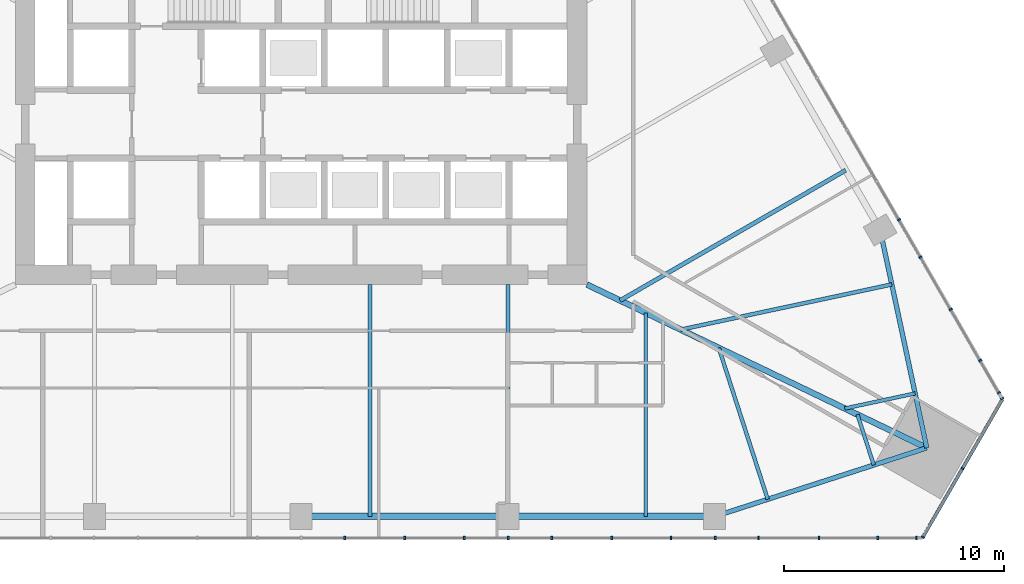
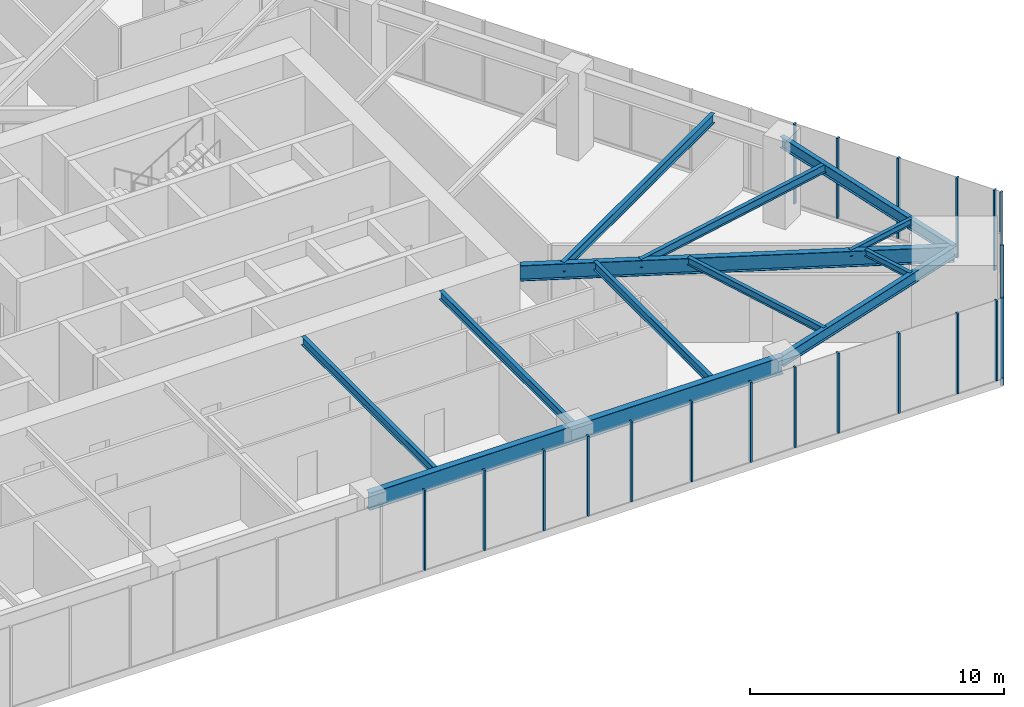
# One storey, part 6 of 21: 21 members, 12 beams, 3 elements without a shape of their own.
"""IFC4 building model written with IfcOpenShell, lengths in metres."""

from ifc_helpers import new_model, si_unit, direction, frame, origin, origin_2d, place, context, subcontext, project, spatial, rectangle, i_section, extrude, material, layer, layer_set, material_profile, profile_set, type_object, element, aggregate, save


model = new_model("IFC4")

# Units and contexts
model_context = context("Model", 3, precision=1e-05, world=origin(), true_north=direction((0.0, 1.0)))
body_context = subcontext(model_context, "Body", "Model", "MODEL_VIEW")
ifc_project = project(units=[si_unit("LENGTHUNIT", "METRE"), si_unit("AREAUNIT", "SQUARE_METRE"), si_unit("VOLUMEUNIT", "CUBIC_METRE"), si_unit("PLANEANGLEUNIT", "RADIAN"), si_unit("MASSUNIT", "GRAM", prefix="KILO")], contexts=[model_context])

# Site, building, storey
site_placement = place(None, origin())
site = spatial("IfcSite", under=ifc_project, at=site_placement, CompositionType="ELEMENT")
building_placement = place(site_placement, origin())
building = spatial("IfcBuilding", under=site, at=building_placement, Name="Firuza Gate Tower and Library", CompositionType="ELEMENT")
storey_placement = place(building_placement, frame((0.0, 0.0, 94.60009765625)))
storey = spatial("IfcBuildingStorey", under=building, at=storey_placement, Name="L21", CompositionType="ELEMENT", Elevation=94.60009765625)

# Curtain wall, members
ifc_material_1 = material(Name="Aluminium 6063-T6", Category="aluminium")
ifc_layer_1 = layer(ifc_material_1, 0.14990234375)
ifc_layer_set_1 = layer_set([ifc_layer_1], Name="Unitised curtain wall, offices")
curtain_wall_type_1 = type_object("IfcCurtainWallType", Name="Unitised curtain wall, offices", PredefinedType="NOTDEFINED", material=ifc_layer_set_1)
placement = place(storey_placement, origin())
curtain_wall_1 = element("IfcCurtainWall", 1, at=placement, inside=storey, type_object=curtain_wall_type_1, Name="CW1 L21 S face", PredefinedType="NOTDEFINED")
ifc_material_2 = material(Name="Aluminium 6063-T6", Category="aluminium")
ifc_material_profile_1 = material_profile(ifc_material_2, rectangle(XDim=0.14990234375, YDim=0.080078125, at=origin_2d()))
ifc_profile_set_1 = profile_set([ifc_material_profile_1], Name="Aluminium 6063-T6")
member_type_1 = type_object("IfcMemberType", Name="Curtain wall mullion 80x150", PredefinedType="MULLION", material=ifc_profile_set_1)
member_1_placement = place(storey_placement, frame((79.708984375, 54.48095703125, 0.14990234375), z_axis=(0.0, 0.0, 1.0), x_axis=(0.0, 1.0, 0.0)))
member_1 = element("IfcMember", 2, at=member_1_placement, type_object=member_type_1, Name="Mullion", PredefinedType="MULLION", context=body_context, shape_type="SweptSolid", body=[
    extrude(rectangle(XDim=0.14990234375, YDim=0.080078125, at=origin_2d()), origin(), (0.0, 0.0, 1.0), 3.85009765625),
])
member_2_placement = place(storey_placement, frame((84.417724609375, 54.48095703125, 0.14990234375), z_axis=(0.0, 0.0, 1.0), x_axis=(0.0, 1.0, 0.0)))
member_2 = element("IfcMember", 3, at=member_2_placement, type_object=member_type_1, Name="Mullion", PredefinedType="MULLION", context=body_context, shape_type="SweptSolid", body=[
    extrude(rectangle(XDim=0.14990234375, YDim=0.080078125, at=origin_2d()), origin(), (0.0, 0.0, 1.0), 3.85009765625),
])
member_3_placement = place(storey_placement, frame((89.126708984375, 54.48095703125, 0.14990234375), z_axis=(0.0, 0.0, 1.0), x_axis=(0.0, 1.0, 0.0)))
member_3 = element("IfcMember", 4, at=member_3_placement, type_object=member_type_1, Name="Mullion", PredefinedType="MULLION", context=body_context, shape_type="SweptSolid", body=[
    extrude(rectangle(XDim=0.14990234375, YDim=0.080078125, at=origin_2d()), origin(), (0.0, 0.0, 1.0), 3.85009765625),
])
member_4_placement = place(storey_placement, frame((93.835693359375, 54.48095703125, 0.14990234375), z_axis=(0.0, 0.0, 1.0), x_axis=(0.0, 1.0, 0.0)))
member_4 = element("IfcMember", 5, at=member_4_placement, type_object=member_type_1, Name="Mullion", PredefinedType="MULLION", context=body_context, shape_type="SweptSolid", body=[
    extrude(rectangle(XDim=0.14990234375, YDim=0.080078125, at=origin_2d()), origin(), (0.0, 0.0, 1.0), 3.85009765625),
])
member_5_placement = place(storey_placement, frame((98.54443359375, 54.48095703125, 0.14990234375), z_axis=(0.0, 0.0, 1.0), x_axis=(0.0, 1.0, 0.0)))
member_5 = element("IfcMember", 6, at=member_5_placement, type_object=member_type_1, Name="Mullion", PredefinedType="MULLION", context=body_context, shape_type="SweptSolid", body=[
    extrude(rectangle(XDim=0.14990234375, YDim=0.080078125, at=origin_2d()), origin(), (0.0, 0.0, 1.0), 3.85009765625),
])
member_6_placement = place(storey_placement, frame((76.98876953125, 54.48095703125, 0.14990234375), z_axis=(0.0, 0.0, 1.0), x_axis=(0.0, 1.0, 0.0)))
member_6 = element("IfcMember", 7, at=member_6_placement, type_object=member_type_1, Name="Mullion", PredefinedType="MULLION", context=body_context, shape_type="SweptSolid", body=[
    extrude(rectangle(XDim=0.14990234375, YDim=0.080078125, at=origin_2d()), origin(), (0.0, 0.0, 1.0), 3.85009765625),
])
member_7_placement = place(storey_placement, frame((82.41455078125, 54.48095703125, 0.14990234375), z_axis=(0.0, 0.0, 1.0), x_axis=(0.0, 1.0, 0.0)))
member_7 = element("IfcMember", 8, at=member_7_placement, type_object=member_type_1, Name="Mullion", PredefinedType="MULLION", context=body_context, shape_type="SweptSolid", body=[
    extrude(rectangle(XDim=0.14990234375, YDim=0.080078125, at=origin_2d()), origin(), (0.0, 0.0, 1.0), 3.85009765625),
])
member_8_placement = place(storey_placement, frame((86.39208984375, 54.48095703125, 0.14990234375), z_axis=(0.0, 0.0, 1.0), x_axis=(0.0, 1.0, 0.0)))
member_8 = element("IfcMember", 9, at=member_8_placement, type_object=member_type_1, Name="Mullion", PredefinedType="MULLION", context=body_context, shape_type="SweptSolid", body=[
    extrude(rectangle(XDim=0.14990234375, YDim=0.080078125, at=origin_2d()), origin(), (0.0, 0.0, 1.0), 3.85009765625),
])
member_9_placement = place(storey_placement, frame((91.818115234375, 54.48095703125, 0.14990234375), z_axis=(0.0, 0.0, 1.0), x_axis=(0.0, 1.0, 0.0)))
member_9 = element("IfcMember", 10, at=member_9_placement, type_object=member_type_1, Name="Mullion", PredefinedType="MULLION", context=body_context, shape_type="SweptSolid", body=[
    extrude(rectangle(XDim=0.14990234375, YDim=0.080078125, at=origin_2d()), origin(), (0.0, 0.0, 1.0), 3.85009765625),
])
member_10_placement = place(storey_placement, frame((95.79541015625, 54.48095703125, 0.14990234375), z_axis=(0.0, 0.0, 1.0), x_axis=(0.0, 1.0, 0.0)))
member_10 = element("IfcMember", 11, at=member_10_placement, type_object=member_type_1, Name="Mullion", PredefinedType="MULLION", context=body_context, shape_type="SweptSolid", body=[
    extrude(rectangle(XDim=0.14990234375, YDim=0.080078125, at=origin_2d()), origin(), (0.0, 0.0, 1.0), 3.85009765625),
])
member_11_placement = place(storey_placement, frame((101.221435546875, 54.48095703125, 0.14990234375), z_axis=(0.0, 0.0, 1.0), x_axis=(0.0, 1.0, 0.0)))
member_11 = element("IfcMember", 12, at=member_11_placement, type_object=member_type_1, Name="Mullion", PredefinedType="MULLION", context=body_context, shape_type="SweptSolid", body=[
    extrude(rectangle(XDim=0.14990234375, YDim=0.080078125, at=origin_2d()), origin(), (0.0, 0.0, 1.0), 3.85009765625),
])
member_12_placement = place(storey_placement, frame((102.9873046875, 54.48095703125, 0.14990234375), z_axis=(0.0, 0.0, 1.0), x_axis=(0.0, 1.0, 0.0)))
member_12 = element("IfcMember", 13, at=member_12_placement, type_object=member_type_1, Name="Mullion", PredefinedType="MULLION", context=body_context, shape_type="SweptSolid", body=[
    extrude(rectangle(XDim=0.14990234375, YDim=0.080078125, at=origin_2d()), origin(), (0.0, 0.0, 1.0), 3.85009765625),
])
aggregate(curtain_wall_1, [member_1, member_2, member_3, member_4, member_5, member_6, member_7, member_8, member_9, member_10, member_11, member_12])

ifc_material_3 = material(Name="Aluminium 6063-T6", Category="aluminium")
ifc_layer_2 = layer(ifc_material_3, 0.14990234375)
ifc_layer_set_2 = layer_set([ifc_layer_2], Name="Corner curtain wall, chamfers")
curtain_wall_type_2 = type_object("IfcCurtainWallType", Name="Corner curtain wall, chamfers", PredefinedType="NOTDEFINED", material=ifc_layer_set_2)
curtain_wall_2 = element("IfcCurtainWall", 14, at=placement, inside=storey, type_object=curtain_wall_type_2, Name="CW4 L21 SE corner", PredefinedType="NOTDEFINED")
member_13_placement = place(storey_placement, frame((103.2734375, 54.515625, 0.14990234375), z_axis=(0.0, 0.0, 1.0), x_axis=(-0.866025403784, 0.5, 0.0)))
member_13 = element("IfcMember", 15, at=member_13_placement, type_object=member_type_1, Name="Mullion", PredefinedType="MULLION", context=body_context, shape_type="SweptSolid", body=[
    extrude(rectangle(XDim=0.14990234375, YDim=0.080078125, at=origin_2d()), origin(), (0.0, 0.0, 1.0), 3.85009765625),
])
member_14_placement = place(storey_placement, frame((105.074951171875, 57.63623046875, 0.14990234375), z_axis=(0.0, 0.0, 1.0), x_axis=(-0.866025403784, 0.5, 0.0)))
member_14 = element("IfcMember", 16, at=member_14_placement, type_object=member_type_1, Name="Mullion", PredefinedType="MULLION", context=body_context, shape_type="SweptSolid", body=[
    extrude(rectangle(XDim=0.14990234375, YDim=0.080078125, at=origin_2d()), origin(), (0.0, 0.0, 1.0), 3.85009765625),
])

curtain_wall_3 = element("IfcCurtainWall", 17, at=placement, inside=storey, type_object=curtain_wall_type_1, Name="CW1 L21 E face", PredefinedType="NOTDEFINED")
member_15_placement = place(storey_placement, frame((106.876708984375, 60.825927734375, 0.14990234375), z_axis=(0.0, 0.0, 1.0), x_axis=(-0.866025403784, -0.5, 0.0)))
member_15 = element("IfcMember", 18, at=member_15_placement, type_object=member_type_1, Name="Mullion", PredefinedType="MULLION", context=body_context, shape_type="SweptSolid", body=[
    extrude(rectangle(XDim=0.14990234375, YDim=0.080078125, at=origin_2d()), origin(), (0.0, 0.0, 1.0), 3.85009765625),
])
member_16_placement = place(storey_placement, frame((104.542236328125, 64.869384765625, 0.14990234375), z_axis=(0.0, 0.0, 1.0), x_axis=(-0.866025403784, -0.5, 0.0)))
member_16 = element("IfcMember", 19, at=member_16_placement, type_object=member_type_1, Name="Mullion", PredefinedType="MULLION", context=body_context, shape_type="SweptSolid", body=[
    extrude(rectangle(XDim=0.14990234375, YDim=0.080078125, at=origin_2d()), origin(), (0.0, 0.0, 1.0), 3.85009765625),
])
member_17_placement = place(storey_placement, frame((102.187744140625, 68.947509765625, 0.14990234375), z_axis=(0.0, 0.0, 1.0), x_axis=(-0.866025403784, -0.5, 0.0)))
member_17 = element("IfcMember", 20, at=member_17_placement, type_object=member_type_1, Name="Mullion", PredefinedType="MULLION", context=body_context, shape_type="SweptSolid", body=[
    extrude(rectangle(XDim=0.14990234375, YDim=0.080078125, at=origin_2d()), origin(), (0.0, 0.0, 1.0), 3.85009765625),
])
member_18_placement = place(storey_placement, frame((106.731201171875, 61.078125, 0.14990234375), z_axis=(0.0, 0.0, 1.0), x_axis=(-0.866025403784, -0.5, 0.0)))
member_18 = element("IfcMember", 21, at=member_18_placement, type_object=member_type_1, Name="Mullion", PredefinedType="MULLION", context=body_context, shape_type="SweptSolid", body=[
    extrude(rectangle(XDim=0.14990234375, YDim=0.080078125, at=origin_2d()), origin(), (0.0, 0.0, 1.0), 3.85009765625),
])
member_19_placement = place(storey_placement, frame((105.880615234375, 62.551025390625, 0.14990234375), z_axis=(0.0, 0.0, 1.0), x_axis=(-0.866025403784, -0.5, 0.0)))
member_19 = element("IfcMember", 22, at=member_19_placement, type_object=member_type_1, Name="Mullion", PredefinedType="MULLION", context=body_context, shape_type="SweptSolid", body=[
    extrude(rectangle(XDim=0.14990234375, YDim=0.080078125, at=origin_2d()), origin(), (0.0, 0.0, 1.0), 3.85009765625),
])
member_20_placement = place(storey_placement, frame((103.167724609375, 67.250244140625, 0.14990234375), z_axis=(0.0, 0.0, 1.0), x_axis=(-0.866025403784, -0.5, 0.0)))
member_20 = element("IfcMember", 23, at=member_20_placement, type_object=member_type_1, Name="Mullion", PredefinedType="MULLION", context=body_context, shape_type="SweptSolid", body=[
    extrude(rectangle(XDim=0.14990234375, YDim=0.080078125, at=origin_2d()), origin(), (0.0, 0.0, 1.0), 3.85009765625),
])
aggregate(curtain_wall_3, [member_15, member_16, member_17, member_18, member_19, member_20])

# Member
ifc_material_4 = material(Name="Aluminium 6063-T6", Category="aluminium")
ifc_material_profile_2 = material_profile(ifc_material_4, rectangle(XDim=0.14990234375, YDim=0.35009765625, at=origin_2d()))
ifc_profile_set_2 = profile_set([ifc_material_profile_2], Name="Aluminium 6063-T6")
member_type_2 = type_object("IfcMemberType", Name="Curtain wall transom 350x150", PredefinedType="USERDEFINED", material=ifc_profile_set_2)
member_21_placement = place(storey_placement, frame((103.25341796875, 54.48095703125, -0.025146484375), z_axis=(0.500005719219, 0.866022101766, 0.0), x_axis=(-0.866022101766, 0.500005719219, 0.0)))
member_21 = element("IfcMember", 24, at=member_21_placement, type_object=member_type_2, Name="Transom", ObjectType="TRANSOM", PredefinedType="USERDEFINED", context=body_context, shape_type="SweptSolid", body=[
    extrude(rectangle(XDim=0.14990234375, YDim=0.35009765625, at=origin_2d()), origin(), (0.0, 0.0, 1.0), 7.28662109375),
])

aggregate(curtain_wall_2, [member_13, member_14, member_21])

# Beams
ifc_material_5 = material(Name="Steel S355", Category="steel")
ifc_material_profile_3 = material_profile(ifc_material_5, i_section(OverallWidth=0.1650390625, OverallDepth=0.31005859375, WebThickness=0.005859375, FlangeThickness=0.009765625, at=origin_2d()))
ifc_profile_set_3 = profile_set([ifc_material_profile_3], Name="Steel S355")
beam_type_1 = type_object("IfcBeamType", Name="W310x39 Floor beam", PredefinedType="JOIST", material=ifc_profile_set_3)
beam_1_placement = place(storey_placement, frame((101.0400390625, 57.794189453125, 3.844970703125), z_axis=(-0.307529192358, 0.951538646534, 0.0), x_axis=(-0.951538646534, -0.307529192358, 0.0)))
element("IfcBeam", 25, at=beam_1_placement, inside=storey, type_object=beam_type_1, Name="Floor beam L21 s31", PredefinedType="JOIST", context=body_context, shape_type="SweptSolid", body=[
    extrude(i_section(OverallWidth=0.1650390625, OverallDepth=0.31005859375, WebThickness=0.005859375, FlangeThickness=0.009765625, at=origin_2d()), origin(), (0.0, 0.0, 1.0), 2.411865234375),
])
beam_2_placement = place(storey_placement, frame((102.920654296875, 61.051513671875, 3.844970703125), z_axis=(-0.97783625128, -0.209371119503, 0.0), x_axis=(0.209371119503, -0.97783625128, 0.0)))
element("IfcBeam", 26, at=beam_2_placement, inside=storey, type_object=beam_type_1, Name="Floor beam L21 s40", PredefinedType="JOIST", context=body_context, shape_type="SweptSolid", body=[
    extrude(i_section(OverallWidth=0.1650390625, OverallDepth=0.31005859375, WebThickness=0.005859375, FlangeThickness=0.009765625, at=origin_2d()), origin(), (0.0, 0.0, 1.0), 3.27197265625),
])
ifc_material_6 = material(Name="Steel S355", Category="steel")
ifc_material_profile_4 = material_profile(ifc_material_6, i_section(OverallWidth=0.1708984375, OverallDepth=0.35498046875, WebThickness=0.007080078125, FlangeThickness=0.01171875, at=origin_2d()))
ifc_profile_set_4 = profile_set([ifc_material_profile_4], Name="Steel S355")
beam_type_2 = type_object("IfcBeamType", Name="W360x51 Floor beam", PredefinedType="JOIST", material=ifc_profile_set_4)
beam_3_placement = place(storey_placement, frame((96.2177734375, 56.2353515625, 3.822509765625), z_axis=(-0.307569618225, 0.951525580289, 0.0), x_axis=(-0.951525580289, -0.307569618225, 0.0)))
element("IfcBeam", 27, at=beam_3_placement, inside=storey, type_object=beam_type_2, Name="Floor beam L21 s30", PredefinedType="JOIST", context=body_context, shape_type="SweptSolid", body=[
    extrude(i_section(OverallWidth=0.1708984375, OverallDepth=0.35498046875, WebThickness=0.007080078125, FlangeThickness=0.01171875, at=origin_2d()), origin(), (0.0, 0.0, 1.0), 7.2353515625),
])
ifc_material_7 = material(Name="Steel S355", Category="steel")
ifc_material_profile_5 = material_profile(ifc_material_7, i_section(OverallWidth=0.177978515625, OverallDepth=0.406982421875, WebThickness=0.0078125, FlangeThickness=0.0126953125, at=origin_2d()))
ifc_profile_set_5 = profile_set([ifc_material_profile_5], Name="Steel S355")
beam_type_3 = type_object("IfcBeamType", Name="W410x60 Floor beam", PredefinedType="JOIST", material=ifc_profile_set_5)
for number, where, z_axis, x_axis, name in (
    (28, (78.134521484375, 55.4560546875, 3.79638671875), (0.0, 1.0, 0.0), (-1.0, 0.0, 0.0), "Floor beam L21 s23"),
    (29, (84.4033203125, 55.4560546875, 3.79638671875), (0.0, 1.0, 0.0), (-1.0, 0.0, 0.0), "Floor beam L21 s24"),
):
    element("IfcBeam", number, at=place(storey_placement, frame(where, z_axis=z_axis, x_axis=x_axis)), inside=storey, type_object=beam_type_3, Name=name, PredefinedType="JOIST", context=body_context, shape_type="SweptSolid", body=[
        extrude(i_section(OverallWidth=0.177978515625, OverallDepth=0.406982421875, WebThickness=0.0078125, FlangeThickness=0.0126953125, at=origin_2d()), origin(), (0.0, 0.0, 1.0), 10.5439453125),
    ])
beam_4_placement = place(storey_placement, frame((90.67236328125, 55.4560546875, 3.79638671875), z_axis=(0.0, 1.0, 0.0), x_axis=(-1.0, 0.0, 0.0)))
element("IfcBeam", 30, at=beam_4_placement, inside=storey, type_object=beam_type_3, Name="Floor beam L21 s25", PredefinedType="JOIST", context=body_context, shape_type="SweptSolid", body=[
    extrude(i_section(OverallWidth=0.177978515625, OverallDepth=0.406982421875, WebThickness=0.0078125, FlangeThickness=0.0126953125, at=origin_2d()), origin(), (0.0, 0.0, 1.0), 9.259521484375),
])
beam_5_placement = place(storey_placement, frame((101.859619140625, 66.007080078125, 3.79638671875), z_axis=(-0.977835160952, -0.209376211652, 0.0), x_axis=(0.209376211652, -0.977835160952, 0.0)))
element("IfcBeam", 31, at=beam_5_placement, inside=storey, type_object=beam_type_3, Name="Floor beam L21 s41", PredefinedType="JOIST", context=body_context, shape_type="SweptSolid", body=[
    extrude(i_section(OverallWidth=0.177978515625, OverallDepth=0.406982421875, WebThickness=0.0078125, FlangeThickness=0.0126953125, at=origin_2d()), origin(), (0.0, 0.0, 1.0), 9.815673828125),
])
ifc_material_8 = material(Name="Steel S355", Category="steel")
ifc_material_profile_6 = material_profile(ifc_material_8, i_section(OverallWidth=0.18994140625, OverallDepth=0.45703125, WebThickness=0.009033203125, FlangeThickness=0.014404296875, at=origin_2d()))
ifc_profile_set_6 = profile_set([ifc_material_profile_6], Name="Steel S355")
beam_type_4 = type_object("IfcBeamType", Name="W460x74 Floor beam", PredefinedType="JOIST", material=ifc_profile_set_6)
beam_6_placement = place(storey_placement, frame((99.76171875, 71.199462890625, 3.771484375), z_axis=(-0.866019794698, -0.500009715097, 0.0), x_axis=(0.500009715097, -0.866019794698, 0.0)))
element("IfcBeam", 32, at=beam_6_placement, inside=storey, type_object=beam_type_4, Name="Floor beam L21 s50", PredefinedType="JOIST", context=body_context, shape_type="SweptSolid", body=[
    extrude(i_section(OverallWidth=0.18994140625, OverallDepth=0.45703125, WebThickness=0.009033203125, FlangeThickness=0.014404296875, at=origin_2d()), origin(), (0.0, 0.0, 1.0), 11.844482421875),
])
ifc_material_9 = material(Name="Steel S355", Category="steel")
ifc_material_profile_7 = material_profile(ifc_material_9, i_section(OverallWidth=0.212890625, OverallDepth=0.5390625, WebThickness=0.01171875, FlangeThickness=0.018798828125, at=origin_2d()))
ifc_profile_set_7 = profile_set([ifc_material_profile_7], Name="Steel S355")
beam_type_5 = type_object("IfcBeamType", Name="W530x109 Edge beam", PredefinedType="SPANDREL", material=ifc_profile_set_7)
beam_7_placement = place(storey_placement, frame((93.806640625, 55.4560546875, 3.73046875), z_axis=(0.951520013056, 0.307586840996, 0.0), x_axis=(-0.307586840996, 0.951520013056, 0.0)))
element("IfcBeam", 33, at=beam_7_placement, inside=storey, type_object=beam_type_5, Name="Edge beam L21 e30", PredefinedType="SPANDREL", context=body_context, shape_type="SweptSolid", body=[
    extrude(i_section(OverallWidth=0.212890625, OverallDepth=0.5390625, WebThickness=0.01171875, FlangeThickness=0.018798828125, at=origin_2d()), origin(), (0.0, 0.0, 1.0), 10.135986328125),
])
beam_8_placement = place(storey_placement, frame((103.451171875, 58.57373046875, 3.73046875), z_axis=(-0.209364588878, 0.977837649574, 0.0), x_axis=(-0.977837649574, -0.209364588878, 0.0)))
element("IfcBeam", 34, at=beam_8_placement, inside=storey, type_object=beam_type_5, Name="Edge beam L21 e40", PredefinedType="SPANDREL", context=body_context, shape_type="SweptSolid", body=[
    extrude(i_section(OverallWidth=0.212890625, OverallDepth=0.5390625, WebThickness=0.01171875, FlangeThickness=0.018798828125, at=origin_2d()), origin(), (0.0, 0.0, 1.0), 10.1357421875),
])
ifc_material_10 = material(Name="Steel S355", Category="steel")
ifc_material_profile_8 = material_profile(ifc_material_10, i_section(OverallWidth=0.264892578125, OverallDepth=0.7529296875, WebThickness=0.01318359375, FlangeThickness=0.01708984375, at=origin_2d()))
ifc_profile_set_8 = profile_set([ifc_material_profile_8], Name="Steel S355")
beam_type_6 = type_object("IfcBeamType", Name="W760x147 Girder", PredefinedType="BEAM", material=ifc_profile_set_8)
beam_9_placement = place(storey_placement, frame((103.451171875, 58.57373046875, 3.623291015625), z_axis=(-0.901302042776, 0.433191213771, 0.0), x_axis=(-0.433191213771, -0.901302042776, 0.0)))
element("IfcBeam", 35, at=beam_9_placement, inside=storey, type_object=beam_type_6, Name="Girder L21 gSE", PredefinedType="BEAM", context=body_context, shape_type="SweptSolid", body=[
    extrude(i_section(OverallWidth=0.264892578125, OverallDepth=0.7529296875, WebThickness=0.01318359375, FlangeThickness=0.01708984375, at=origin_2d()), origin(), (0.0, 0.0, 1.0), 17.14306640625),
])
ifc_material_11 = material(Name="Steel S355", Category="steel")
ifc_material_profile_9 = material_profile(ifc_material_11, i_section(OverallWidth=0.2919921875, OverallDepth=0.8349609375, WebThickness=0.013916015625, FlangeThickness=0.018798828125, at=origin_2d()))
ifc_profile_set_9 = profile_set([ifc_material_profile_9], Name="Steel S355")
beam_type_7 = type_object("IfcBeamType", Name="W840x176 Edge beam", PredefinedType="SPANDREL", material=ifc_profile_set_9)
beam_10_placement = place(storey_placement, frame((75.0, 55.4560546875, 3.58251953125), z_axis=(1.0, 0.0, 0.0), x_axis=(0.0, 1.0, 0.0)))
element("IfcBeam", 36, at=beam_10_placement, inside=storey, type_object=beam_type_7, Name="Edge beam L21 e22", PredefinedType="SPANDREL", context=body_context, shape_type="SweptSolid", body=[
    extrude(i_section(OverallWidth=0.2919921875, OverallDepth=0.8349609375, WebThickness=0.013916015625, FlangeThickness=0.018798828125, at=origin_2d()), origin(), (0.0, 0.0, 1.0), 18.806640625),
])

save(model, "model.ifc")
